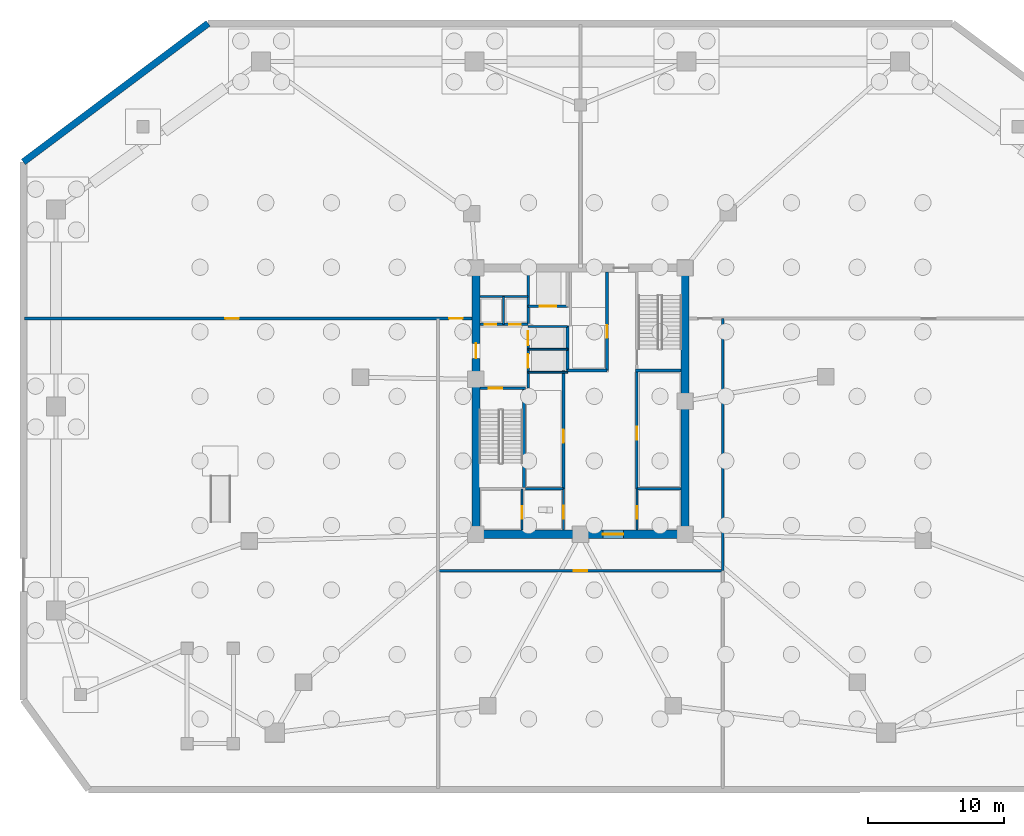
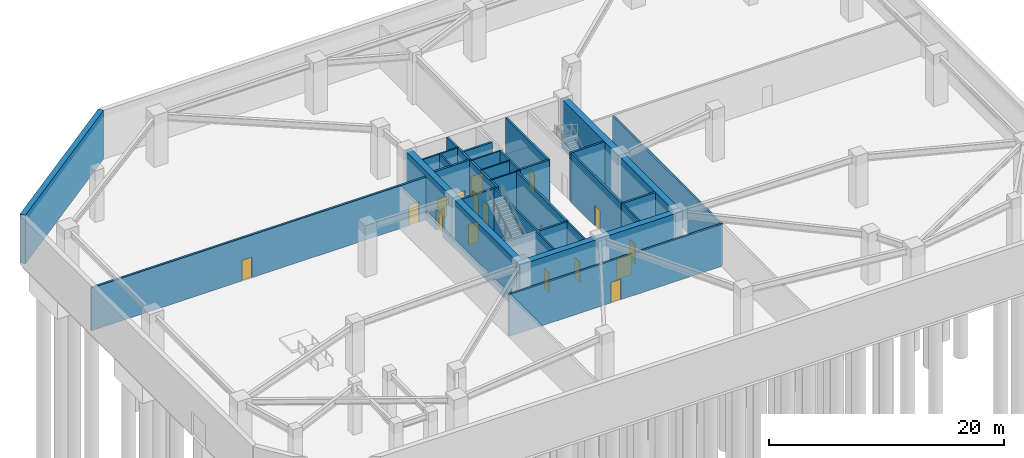
# One storey, part 4 of 12: 28 walls, 17 doors, 17 openings.
"""IFC4 building model written with IfcOpenShell, lengths in metres."""

from ifc_helpers import new_model, si_unit, direction, frame, frame_2d, origin, place, context, subcontext, project, spatial, rectangle, extrude, material, layer, layer_set, type_object, element, fill, save


model = new_model("IFC4")

# Units and contexts
model_context = context("Model", 3, precision=1e-05, world=origin(), true_north=direction((0.0, 1.0)))
body_context = subcontext(model_context, "Body", "Model", "MODEL_VIEW")
ifc_project = project(units=[si_unit("LENGTHUNIT", "METRE"), si_unit("AREAUNIT", "SQUARE_METRE"), si_unit("VOLUMEUNIT", "CUBIC_METRE"), si_unit("PLANEANGLEUNIT", "RADIAN"), si_unit("MASSUNIT", "GRAM", prefix="KILO")], contexts=[model_context])

# Site, building, storey
site_placement = place(None, origin())
site = spatial("IfcSite", under=ifc_project, at=site_placement, CompositionType="ELEMENT")
building_placement = place(site_placement, origin())
building = spatial("IfcBuilding", under=site, at=building_placement, Name="Savorim Split Tower", CompositionType="ELEMENT")
storey_placement = place(building_placement, frame((0.0, 0.0, -5.39990234375)))
storey = spatial("IfcBuildingStorey", under=building, at=storey_placement, Name="B01", CompositionType="ELEMENT", Elevation=-5.39990234375)

# Wall, opening, door
ifc_material_1 = material(Name="Concrete C60/75", Category="concrete")
ifc_layer_1 = layer(ifc_material_1, 0.60009765625)
ifc_layer_set_1 = layer_set([ifc_layer_1], Name="WAL-COR-SH600")
wall_type_1 = type_object("IfcWallType", Name="WAL-COR-SH600", PredefinedType="SHEAR", material=ifc_layer_set_1)
wall_1_placement = place(storey_placement, frame((-8.0, -9.39990234375, 0.0), z_axis=(0.0, 0.0, 1.0), x_axis=(1.0, 0.0, 0.0)))
wall_1 = element("IfcWall", 1, at=wall_1_placement, inside=storey, type_object=wall_type_1, Name="B01 Offset Core South Shear Wall", PredefinedType="SHEAR", context=body_context, shape_type="SweptSolid", body=[
    extrude(rectangle(XDim=16.0, YDim=0.60009765625, at=frame_2d((8.0, 0.0))), origin(), (0.0, 0.0, 1.0), 5.079833984375),
])
opening_1_placement = place(wall_1_placement, frame((9.64990234375, 0.0, 0.0)))
opening_1 = element("IfcOpeningElement", 2, at=opening_1_placement, cuts=wall_1, Name="Opening DI-02", PredefinedType="OPENING", context=body_context, shape_type="SweptSolid", body=[
    extrude(rectangle(XDim=1.5, YDim=2.199951171875, at=frame_2d((0.75, 1.10009765625))), frame((0.0, 0.31005859375, 0.0), z_axis=(0.0, -1.0, 0.0), x_axis=(1.0, 0.0, 0.0)), (0.0, 0.0, 1.0), 0.6201171875),
])
ifc_material_2 = material(Name="Timber Fire Door Leaf", Category="wood")
door_type_1 = type_object("IfcDoorType", Name="DOR-DBL-1500", OperationType="NOTDEFINED", PredefinedType="DOOR", material=ifc_material_2)
door_1_placement = place(opening_1_placement, origin())
door_1 = element("IfcDoor", 3, at=door_1_placement, inside=storey, type_object=door_type_1, Name="DOR-B01-COR-LLOB - B01 Lift Lobby Main Rated Door", OperationType="DOUBLE_DOOR_SINGLE_SWING", OverallHeight=2.199951171875, OverallWidth=1.5, PredefinedType="DOOR", context=body_context, shape_type="SweptSolid", body=[
    extrude(rectangle(XDim=1.5, YDim=2.199951171875, at=frame_2d((0.75, 1.10009765625))), frame((0.0, 0.02490234375, 0.0), z_axis=(0.0, -1.0, 0.0), x_axis=(1.0, 0.0, 0.0)), (0.0, 0.0, 1.0), 0.050048828125),
])
fill(opening_1, door_1)

wall_2_placement = place(storey_placement, frame((-7.699951171875, -9.10009765625, 0.0), z_axis=(0.0, 0.0, 1.0), x_axis=(0.0, 1.0, 0.0)))
wall_2 = element("IfcWall", 4, at=wall_2_placement, inside=storey, type_object=wall_type_1, Name="B01 Offset Core West Shear Wall", PredefinedType="SHEAR", context=body_context, shape_type="SweptSolid", body=[
    extrude(rectangle(XDim=19.0, YDim=0.60009765625, at=frame_2d((9.5, 0.0))), origin(), (0.0, 0.0, 1.0), 5.079833984375),
])
opening_2_placement = place(wall_2_placement, frame((12.64990234375, 0.0, 0.0)))
opening_2 = element("IfcOpeningElement", 5, at=opening_2_placement, cuts=wall_2, Name="Opening DI-03", PredefinedType="OPENING", context=body_context, shape_type="SweptSolid", body=[
    extrude(rectangle(XDim=1.10009765625, YDim=2.14990234375, at=frame_2d((0.550048828125, 1.074951171875))), frame((0.0, 0.31005859375, 0.0), z_axis=(0.0, -1.0, 0.0), x_axis=(1.0, 0.0, 0.0)), (0.0, 0.0, 1.0), 0.6201171875),
])
door_type_2 = type_object("IfcDoorType", Name="DOR-FIR-1100", OperationType="NOTDEFINED", PredefinedType="DOOR", material=ifc_material_2)
door_2_placement = place(opening_2_placement, origin())
door_2 = element("IfcDoor", 6, at=door_2_placement, inside=storey, type_object=door_type_2, Name="DOR-B01-COR-FFLOB - B01 Firefighting Lobby Corridor Door", OperationType="SINGLE_SWING_LEFT", OverallHeight=2.14990234375, OverallWidth=1.10009765625, PredefinedType="DOOR", context=body_context, shape_type="SweptSolid", body=[
    extrude(rectangle(XDim=1.10009765625, YDim=2.14990234375, at=frame_2d((0.550048828125, 1.074951171875))), frame((0.0, 0.02490234375, 0.0), z_axis=(0.0, -1.0, 0.0), x_axis=(1.0, 0.0, 0.0)), (0.0, 0.0, 1.0), 0.050048828125),
])
fill(opening_2, door_2)

# Walls
wall_3_placement = place(storey_placement, frame((7.699951171875, 9.89990234375, 0.0), z_axis=(0.0, 0.0, 1.0), x_axis=(0.0, -1.0, 0.0)))
element("IfcWall", 7, at=wall_3_placement, inside=storey, type_object=wall_type_1, Name="B01 Offset Core East Shear Wall", PredefinedType="SHEAR", context=body_context, shape_type="SweptSolid", body=[
    extrude(rectangle(XDim=19.0, YDim=0.60009765625, at=frame_2d((9.5, 0.0))), origin(), (0.0, 0.0, 1.0), 5.079833984375),
])
ifc_material_3 = material(Name="Concrete C50/60", Category="concrete")
ifc_layer_2 = layer(ifc_material_3, 0.5)
ifc_layer_set_2 = layer_set([ifc_layer_2], Name="WAL-EXT-RET500")
wall_type_2 = type_object("IfcWallType", Name="WAL-EXT-RET500", PredefinedType="USERDEFINED", material=ifc_layer_set_2)
wall_4_placement = place(storey_placement, frame((-41.0, 18.0, 0.0), z_axis=(0.0, 0.0, 1.0), x_axis=(0.800003446668, 0.599995404415, 0.0)))
element("IfcWall", 8, at=wall_4_placement, inside=storey, type_object=wall_type_2, Name="B01 Perimeter Basement Retaining Wall 6", ObjectType="RETAININGWALL", PredefinedType="USERDEFINED", context=body_context, shape_type="SweptSolid", body=[
    extrude(rectangle(XDim=17.0, YDim=0.5, at=frame_2d((8.5, 0.0))), origin(), (0.0, 0.0, 1.0), 5.079833984375),
])

# Wall, opening, door
ifc_layer_3 = layer(ifc_material_3, 0.199951171875)
ifc_layer_set_3 = layer_set([ifc_layer_3], Name="WAL-INT-RC200")
wall_type_3 = type_object("IfcWallType", Name="WAL-INT-RC200", PredefinedType="SOLIDWALL", material=ifc_layer_set_3)
wall_5_placement = place(storey_placement, frame((-7.39990234375, 1.35009765625, 0.0), z_axis=(0.0, 0.0, 1.0), x_axis=(1.0, 0.0, 0.0)))
wall_5 = element("IfcWall", 9, at=wall_5_placement, inside=storey, type_object=wall_type_3, Name="B01 Structural Shaft Wall W-B01-CR01", PredefinedType="SOLIDWALL", context=body_context, shape_type="SweptSolid", body=[
    extrude(rectangle(XDim=3.349853515625, YDim=0.199951171875, at=frame_2d((1.6748046875, 0.0))), origin(), (0.0, 0.0, 1.0), 5.079833984375),
])
opening_3_placement = place(wall_5_placement, frame((0.64990234375, 0.0, 0.0)))
opening_3 = element("IfcOpeningElement", 10, at=opening_3_placement, cuts=wall_5, Name="Opening DI-04", PredefinedType="OPENING", context=body_context, shape_type="SweptSolid", body=[
    extrude(rectangle(XDim=1.0, YDim=2.14990234375, at=frame_2d((0.5, 1.074951171875))), frame((0.0, 0.10986328125, 0.0), z_axis=(0.0, -1.0, 0.0), x_axis=(1.0, 0.0, 0.0)), (0.0, 0.0, 1.0), 0.219970703125),
])
door_type_3 = type_object("IfcDoorType", Name="DOR-FIR-1000", OperationType="NOTDEFINED", PredefinedType="DOOR", material=ifc_material_2)
door_3_placement = place(opening_3_placement, origin())
door_3 = element("IfcDoor", 11, at=door_3_placement, inside=storey, type_object=door_type_3, Name="DR-B01-ST1 - B01 Stair ST-1 Enclosure Door", OperationType="SINGLE_SWING_LEFT", OverallHeight=2.14990234375, OverallWidth=1.0, PredefinedType="DOOR", context=body_context, shape_type="SweptSolid", body=[
    extrude(rectangle(XDim=1.0, YDim=2.14990234375, at=frame_2d((0.5, 1.074951171875))), frame((0.0, 0.02490234375, 0.0), z_axis=(0.0, -1.0, 0.0), x_axis=(1.0, 0.0, 0.0)), (0.0, 0.0, 1.0), 0.050048828125),
])
fill(opening_3, door_3)

# Wall
wall_6_placement = place(storey_placement, frame((-4.14990234375, -5.949951171875, 0.0), z_axis=(0.0, 0.0, 1.0), x_axis=(0.0, 1.0, 0.0)))
element("IfcWall", 12, at=wall_6_placement, inside=storey, type_object=wall_type_3, Name="B01 Structural Shaft Wall W-B01-CR02", PredefinedType="SOLIDWALL", context=body_context, shape_type="SweptSolid", body=[
    extrude(rectangle(XDim=7.199951171875, YDim=0.199951171875, at=frame_2d((3.60009765625, 0.0))), origin(), (0.0, 0.0, 1.0), 5.079833984375),
])

# Wall, openings, doors
wall_7_placement = place(storey_placement, frame((-3.85009765625, 1.35009765625, 0.0), z_axis=(0.0, 0.0, 1.0), x_axis=(0.0, 1.0, 0.0)))
wall_7 = element("IfcWall", 13, at=wall_7_placement, inside=storey, type_object=wall_type_3, Name="B01 Partition W-B01-CR03", PredefinedType="SOLIDWALL", context=body_context, shape_type="SweptSolid", body=[
    extrude(rectangle(XDim=8.544921875, YDim=0.199951171875, at=frame_2d((4.2724609375, 0.0))), origin(), (0.0, 0.0, 1.0), 5.079833984375),
])
opening_4_placement = place(wall_7_placement, frame((1.5, 0.0, 0.0)))
opening_4 = element("IfcOpeningElement", 14, at=opening_4_placement, cuts=wall_7, Name="Opening LD-FFL", PredefinedType="OPENING", context=body_context, shape_type="SweptSolid", body=[
    extrude(rectangle(XDim=1.0, YDim=2.14990234375, at=frame_2d((0.5, 1.074951171875))), frame((0.0, 0.10986328125, 0.0), z_axis=(0.0, -1.0, 0.0), x_axis=(1.0, 0.0, 0.0)), (0.0, 0.0, 1.0), 0.219970703125),
])
opening_5_placement = place(wall_7_placement, frame((3.179931640625, 0.0, 0.0)))
opening_5 = element("IfcOpeningElement", 15, at=opening_5_placement, cuts=wall_7, Name="Opening LD-FFL", PredefinedType="OPENING", context=body_context, shape_type="SweptSolid", body=[
    extrude(rectangle(XDim=1.0, YDim=2.14990234375, at=frame_2d((0.5, 1.074951171875))), frame((0.0, 0.10986328125, 0.0), z_axis=(0.0, -1.0, 0.0), x_axis=(1.0, 0.0, 0.0)), (0.0, 0.0, 1.0), 0.219970703125),
])
ifc_material_4 = material(Name="Charcoal Anodised Aluminium", Category="aluminium")
door_type_4 = type_object("IfcDoorType", Name="DOR-SLD-LD1000", OperationType="NOTDEFINED", PredefinedType="DOOR", material=ifc_material_4)
door_4_placement = place(opening_4_placement, origin())
door_4 = element("IfcDoor", 16, at=door_4_placement, inside=storey, type_object=door_type_4, Name="DR-B01-LD-FFL1 - B01 Firefighting Lift FFL-1 Sliding Landing Door", OperationType="DOUBLE_DOOR_SLIDING", OverallHeight=2.14990234375, OverallWidth=1.0, PredefinedType="DOOR", context=body_context, shape_type="SweptSolid", body=[
    extrude(rectangle(XDim=1.0, YDim=2.14990234375, at=frame_2d((0.5, 1.074951171875))), frame((0.0, 0.02490234375, 0.0), z_axis=(0.0, -1.0, 0.0), x_axis=(1.0, 0.0, 0.0)), (0.0, 0.0, 1.0), 0.050048828125),
])
fill(opening_4, door_4)
door_5_placement = place(opening_5_placement, origin())
door_5 = element("IfcDoor", 17, at=door_5_placement, inside=storey, type_object=door_type_4, Name="DR-B01-LD-FFL2 - B01 Firefighting Lift FFL-2 Sliding Landing Door", OperationType="DOUBLE_DOOR_SLIDING", OverallHeight=2.14990234375, OverallWidth=1.0, PredefinedType="DOOR", context=body_context, shape_type="SweptSolid", body=[
    extrude(rectangle(XDim=1.0, YDim=2.14990234375, at=frame_2d((0.5, 1.074951171875))), frame((0.0, 0.02490234375, 0.0), z_axis=(0.0, -1.0, 0.0), x_axis=(1.0, 0.0, 0.0)), (0.0, 0.0, 1.0), 0.050048828125),
])
fill(opening_5, door_5)

wall_8_placement = place(storey_placement, frame((-7.39501953125, 6.050048828125, 0.0), z_axis=(0.0, 0.0, 1.0), x_axis=(1.0, 0.0, 0.0)))
wall_8 = element("IfcWall", 18, at=wall_8_placement, inside=storey, type_object=wall_type_3, Name="B01 Partition W-B01-CR04", PredefinedType="SOLIDWALL", context=body_context, shape_type="SweptSolid", body=[
    extrude(rectangle(XDim=3.544921875, YDim=0.199951171875, at=frame_2d((1.7724609375, 0.0))), origin(), (0.0, 0.0, 1.0), 5.079833984375),
])
opening_6_placement = place(wall_8_placement, frame((0.344970703125, 0.0, 0.0)))
opening_6 = element("IfcOpeningElement", 19, at=opening_6_placement, cuts=wall_8, Name="Opening DI-12", PredefinedType="OPENING", context=body_context, shape_type="SweptSolid", body=[
    extrude(rectangle(XDim=0.85009765625, YDim=2.10009765625, at=frame_2d((0.425048828125, 1.050048828125))), frame((0.0, 0.10986328125, 0.0), z_axis=(0.0, -1.0, 0.0), x_axis=(1.0, 0.0, 0.0)), (0.0, 0.0, 1.0), 0.219970703125),
])
opening_7_placement = place(wall_8_placement, frame((2.14501953125, 0.0, 0.0)))
opening_7 = element("IfcOpeningElement", 20, at=opening_7_placement, cuts=wall_8, Name="Opening DI-12", PredefinedType="OPENING", context=body_context, shape_type="SweptSolid", body=[
    extrude(rectangle(XDim=0.85009765625, YDim=2.10009765625, at=frame_2d((0.425048828125, 1.050048828125))), frame((0.0, 0.10986328125, 0.0), z_axis=(0.0, -1.0, 0.0), x_axis=(1.0, 0.0, 0.0)), (0.0, 0.0, 1.0), 0.219970703125),
])
ifc_material_5 = material(Name="Galvanised Painted Steel Balustrade", Category="steel")
door_type_5 = type_object("IfcDoorType", Name="DOR-RIS-850", OperationType="NOTDEFINED", PredefinedType="DOOR", material=ifc_material_5)
door_6_placement = place(opening_6_placement, origin())
door_6 = element("IfcDoor", 21, at=door_6_placement, inside=storey, type_object=door_type_5, Name="DR-B01-ELR - B01 Electrical Riser Access Door", OperationType="SINGLE_SWING_RIGHT", OverallHeight=2.10009765625, OverallWidth=0.85009765625, PredefinedType="DOOR", context=body_context, shape_type="SweptSolid", body=[
    extrude(rectangle(XDim=0.85009765625, YDim=2.10009765625, at=frame_2d((0.425048828125, 1.050048828125))), frame((0.0, 0.02490234375, 0.0), z_axis=(0.0, -1.0, 0.0), x_axis=(1.0, 0.0, 0.0)), (0.0, 0.0, 1.0), 0.050048828125),
])
fill(opening_6, door_6)
door_7_placement = place(opening_7_placement, origin())
door_7 = element("IfcDoor", 22, at=door_7_placement, inside=storey, type_object=door_type_5, Name="DR-B01-TLR - B01 Telecom Riser Access Door", OperationType="SINGLE_SWING_LEFT", OverallHeight=2.10009765625, OverallWidth=0.85009765625, PredefinedType="DOOR", context=body_context, shape_type="SweptSolid", body=[
    extrude(rectangle(XDim=0.85009765625, YDim=2.10009765625, at=frame_2d((0.425048828125, 1.050048828125))), frame((0.0, 0.02490234375, 0.0), z_axis=(0.0, -1.0, 0.0), x_axis=(1.0, 0.0, 0.0)), (0.0, 0.0, 1.0), 0.050048828125),
])
fill(opening_7, door_7)

# Walls
wall_9_placement = place(storey_placement, frame((4.050048828125, 2.64990234375, 0.0), z_axis=(0.0, 0.0, 1.0), x_axis=(1.0, 0.0, 0.0)))
element("IfcWall", 23, at=wall_9_placement, inside=storey, type_object=wall_type_3, Name="B01 Structural Shaft Wall W-B01-CR08", PredefinedType="SOLIDWALL", context=body_context, shape_type="SweptSolid", body=[
    extrude(rectangle(XDim=3.349853515625, YDim=0.199951171875, at=frame_2d((1.6748046875, 0.0))), origin(), (0.0, 0.0, 1.0), 5.079833984375),
])
wall_10_placement = place(storey_placement, frame((-0.949951171875, 2.64990234375, 0.0), z_axis=(0.0, 0.0, 1.0), x_axis=(0.0, 1.0, 0.0)))
element("IfcWall", 24, at=wall_10_placement, inside=storey, type_object=wall_type_3, Name="B01 Partition W-B01-FFLW", PredefinedType="SOLIDWALL", context=body_context, shape_type="SweptSolid", body=[
    extrude(rectangle(XDim=3.27001953125, YDim=0.199951171875, at=frame_2d((1.635009765625, 0.0))), origin(), (0.0, 0.0, 1.0), 5.079833984375),
])

# Wall, opening, door
wall_11_placement = place(storey_placement, frame((-3.85009765625, 7.3798828125, 0.0), z_axis=(0.0, 0.0, 1.0), x_axis=(1.0, 0.0, 0.0)))
wall_11 = element("IfcWall", 25, at=wall_11_placement, inside=storey, type_object=wall_type_3, Name="B01 Partition W-B01-SVLS", PredefinedType="SOLIDWALL", context=body_context, shape_type="SweptSolid", body=[
    extrude(rectangle(XDim=2.900146484375, YDim=0.199951171875, at=frame_2d((1.4501953125, 0.0))), origin(), (0.0, 0.0, 1.0), 5.079833984375),
])
opening_8_placement = place(wall_11_placement, frame((0.85009765625, 0.0, 0.0)))
opening_8 = element("IfcOpeningElement", 26, at=opening_8_placement, cuts=wall_11, Name="Opening LD-SV", PredefinedType="OPENING", context=body_context, shape_type="SweptSolid", body=[
    extrude(rectangle(XDim=1.199951171875, YDim=2.199951171875, at=frame_2d((0.60009765625, 1.10009765625))), frame((0.0, 0.10986328125, 0.0), z_axis=(0.0, -1.0, 0.0), x_axis=(1.0, 0.0, 0.0)), (0.0, 0.0, 1.0), 0.219970703125),
])
door_type_6 = type_object("IfcDoorType", Name="DOR-SLD-SV1200", OperationType="NOTDEFINED", PredefinedType="DOOR", material=ifc_material_4)
door_8_placement = place(opening_8_placement, origin())
door_8 = element("IfcDoor", 27, at=door_8_placement, inside=storey, type_object=door_type_6, Name="DR-B01-LD-SVL1 - B01 Service Lift SVL-1 Sliding Landing Door", OperationType="DOUBLE_DOOR_SLIDING", OverallHeight=2.199951171875, OverallWidth=1.199951171875, PredefinedType="DOOR", context=body_context, shape_type="SweptSolid", body=[
    extrude(rectangle(XDim=1.199951171875, YDim=2.199951171875, at=frame_2d((0.60009765625, 1.10009765625))), frame((0.0, 0.02490234375, 0.0), z_axis=(0.0, -1.0, 0.0), x_axis=(1.0, 0.0, 0.0)), (0.0, 0.0, 1.0), 0.050048828125),
])
fill(opening_8, door_8)

wall_12_placement = place(storey_placement, frame((4.14990234375, -6.050048828125, 0.0), z_axis=(0.0, 0.0, 1.0), x_axis=(0.0, 1.0, 0.0)))
wall_12 = element("IfcWall", 28, at=wall_12_placement, inside=storey, type_object=wall_type_3, Name="B01 Partition W-B01-B1FRONT", PredefinedType="SOLIDWALL", context=body_context, shape_type="SweptSolid", body=[
    extrude(rectangle(XDim=8.699951171875, YDim=0.199951171875, at=frame_2d((4.35009765625, 0.0))), origin(), (0.0, 0.0, 1.0), 5.079833984375),
])
opening_9_placement = place(wall_12_placement, frame((3.60009765625, 0.0, 0.0)))
opening_9 = element("IfcOpeningElement", 29, at=opening_9_placement, cuts=wall_12, Name="Opening DI-05", PredefinedType="OPENING", context=body_context, shape_type="SweptSolid", body=[
    extrude(rectangle(XDim=0.949951171875, YDim=2.10009765625, at=frame_2d((0.47509765625, 1.050048828125))), frame((0.0, 0.10986328125, 0.0), z_axis=(0.0, -1.0, 0.0), x_axis=(1.0, 0.0, 0.0)), (0.0, 0.0, 1.0), 0.219970703125),
])
door_type_7 = type_object("IfcDoorType", Name="DOR-FIR-950", OperationType="NOTDEFINED", PredefinedType="DOOR", material=ifc_material_2)
door_9_placement = place(opening_9_placement, origin())
door_9 = element("IfcDoor", 30, at=door_9_placement, inside=storey, type_object=door_type_7, Name="DR-B01-B1SUB - B01 Core Store East Door", OperationType="SINGLE_SWING_RIGHT", OverallHeight=2.10009765625, OverallWidth=0.949951171875, PredefinedType="DOOR", context=body_context, shape_type="SweptSolid", body=[
    extrude(rectangle(XDim=0.949951171875, YDim=2.10009765625, at=frame_2d((0.47509765625, 1.050048828125))), frame((0.0, 0.02490234375, 0.0), z_axis=(0.0, -1.0, 0.0), x_axis=(1.0, 0.0, 0.0)), (0.0, 0.0, 1.0), 0.050048828125),
])
fill(opening_9, door_9)

wall_13_placement = place(storey_placement, frame((-1.25, -6.050048828125, 0.0), z_axis=(0.0, 0.0, 1.0), x_axis=(0.0, 1.0, 0.0)))
wall_13 = element("IfcWall", 31, at=wall_13_placement, inside=storey, type_object=wall_type_3, Name="B01 Partition W-B01-B2FRONT", PredefinedType="SOLIDWALL", context=body_context, shape_type="SweptSolid", body=[
    extrude(rectangle(XDim=8.699951171875, YDim=0.199951171875, at=frame_2d((4.35009765625, 0.0))), origin(), (0.0, 0.0, 1.0), 5.079833984375),
])
opening_10_placement = place(wall_13_placement, frame((3.39990234375, 0.0, 0.0)))
opening_10 = element("IfcOpeningElement", 32, at=opening_10_placement, cuts=wall_13, Name="Opening DI-05", PredefinedType="OPENING", context=body_context, shape_type="SweptSolid", body=[
    extrude(rectangle(XDim=0.949951171875, YDim=2.10009765625, at=frame_2d((0.47509765625, 1.050048828125))), frame((0.0, 0.10986328125, 0.0), z_axis=(0.0, -1.0, 0.0), x_axis=(1.0, 0.0, 0.0)), (0.0, 0.0, 1.0), 0.219970703125),
])
door_10_placement = place(opening_10_placement, origin())
door_10 = element("IfcDoor", 33, at=door_10_placement, inside=storey, type_object=door_type_7, Name="DR-B01-B2SUB - B01 Core Store West Door", OperationType="SINGLE_SWING_LEFT", OverallHeight=2.10009765625, OverallWidth=0.949951171875, PredefinedType="DOOR", context=body_context, shape_type="SweptSolid", body=[
    extrude(rectangle(XDim=0.949951171875, YDim=2.10009765625, at=frame_2d((0.47509765625, 1.050048828125))), frame((0.0, 0.02490234375, 0.0), z_axis=(0.0, -1.0, 0.0), x_axis=(1.0, 0.0, 0.0)), (0.0, 0.0, 1.0), 0.050048828125),
])
fill(opening_10, door_10)

wall_14_placement = place(storey_placement, frame((1.949951171875, 2.64990234375, 0.0), z_axis=(0.0, 0.0, 1.0), x_axis=(0.0, 1.0, 0.0)))
wall_14 = element("IfcWall", 34, at=wall_14_placement, inside=storey, type_object=wall_type_3, Name="B01 Partition W-B01-B3FRONT", PredefinedType="SOLIDWALL", context=body_context, shape_type="SweptSolid", body=[
    extrude(rectangle(XDim=7.2451171875, YDim=0.199951171875, at=frame_2d((3.62255859375, 0.0))), origin(), (0.0, 0.0, 1.0), 5.079833984375),
])
opening_11_placement = place(wall_14_placement, frame((2.39990234375, 0.0, 0.0)))
opening_11 = element("IfcOpeningElement", 35, at=opening_11_placement, cuts=wall_14, Name="Opening DI-05", PredefinedType="OPENING", context=body_context, shape_type="SweptSolid", body=[
    extrude(rectangle(XDim=0.949951171875, YDim=2.10009765625, at=frame_2d((0.47509765625, 1.050048828125))), frame((0.0, 0.10986328125, 0.0), z_axis=(0.0, -1.0, 0.0), x_axis=(1.0, 0.0, 0.0)), (0.0, 0.0, 1.0), 0.219970703125),
])
door_11_placement = place(opening_11_placement, origin())
door_11 = element("IfcDoor", 36, at=door_11_placement, inside=storey, type_object=door_type_7, Name="DR-B01-B3CRN - B01 Basement BMS Plant Room Door", OperationType="SINGLE_SWING_LEFT", OverallHeight=2.10009765625, OverallWidth=0.949951171875, PredefinedType="DOOR", context=body_context, shape_type="SweptSolid", body=[
    extrude(rectangle(XDim=0.949951171875, YDim=2.10009765625, at=frame_2d((0.47509765625, 1.050048828125))), frame((0.0, 0.02490234375, 0.0), z_axis=(0.0, -1.0, 0.0), x_axis=(1.0, 0.0, 0.0)), (0.0, 0.0, 1.0), 0.050048828125),
])
fill(opening_11, door_11)

# Walls
wall_15_placement = place(storey_placement, frame((-0.949951171875, 2.64990234375, 0.0), z_axis=(0.0, 0.0, 1.0), x_axis=(1.0, 0.0, 0.0)))
element("IfcWall", 37, at=wall_15_placement, inside=storey, type_object=wall_type_3, Name="B01 Partition W-B01-B3SOUTH", PredefinedType="SOLIDWALL", context=body_context, shape_type="SweptSolid", body=[
    extrude(rectangle(XDim=2.89990234375, YDim=0.199951171875, at=frame_2d((1.449951171875, 0.0))), origin(), (0.0, 0.0, 1.0), 5.079833984375),
])
wall_16_placement = place(storey_placement, frame((-4.0400390625, -6.050048828125, 0.0), z_axis=(0.0, 0.0, 1.0), x_axis=(1.0, 0.0, 0.0)))
element("IfcWall", 38, at=wall_16_placement, inside=storey, type_object=wall_type_3, Name="B01 Partition W-B01-KSEP-W2", PredefinedType="SOLIDWALL", context=body_context, shape_type="SweptSolid", body=[
    extrude(rectangle(XDim=2.7900390625, YDim=0.199951171875, at=frame_2d((1.39501953125, 0.0))), origin(), (0.0, 0.0, 1.0), 5.079833984375),
])
wall_17_placement = place(storey_placement, frame((4.14990234375, -6.050048828125, 0.0), z_axis=(0.0, 0.0, 1.0), x_axis=(1.0, 0.0, 0.0)))
element("IfcWall", 39, at=wall_17_placement, inside=storey, type_object=wall_type_3, Name="B01 Partition W-B01-KSEP-E", PredefinedType="SOLIDWALL", context=body_context, shape_type="SweptSolid", body=[
    extrude(rectangle(XDim=3.2451171875, YDim=0.199951171875, at=frame_2d((1.62255859375, 0.0))), origin(), (0.0, 0.0, 1.0), 5.079833984375),
])

# Wall, opening, door
wall_18_placement = place(storey_placement, frame((-10.47998046875, -12.080078125, 0.0), z_axis=(0.0, 0.0, 1.0), x_axis=(1.0, 0.0, 0.0)))
wall_18 = element("IfcWall", 40, at=wall_18_placement, inside=storey, type_object=wall_type_3, Name="B01 Partition W-B01-CS", PredefinedType="SOLIDWALL", context=body_context, shape_type="SweptSolid", body=[
    extrude(rectangle(XDim=20.9599609375, YDim=0.199951171875, at=frame_2d((10.47998046875, 0.0))), origin(), (0.0, 0.0, 1.0), 4.35498046875),
])
opening_12_placement = place(wall_18_placement, frame((9.97998046875, 0.0, 0.0)))
opening_12 = element("IfcOpeningElement", 41, at=opening_12_placement, cuts=wall_18, Name="Opening DI-04", PredefinedType="OPENING", context=body_context, shape_type="SweptSolid", body=[
    extrude(rectangle(XDim=1.0, YDim=2.14990234375, at=frame_2d((0.5, 1.074951171875))), frame((0.0, 0.10986328125, 0.0), z_axis=(0.0, -1.0, 0.0), x_axis=(1.0, 0.0, 0.0)), (0.0, 0.0, 1.0), 0.219970703125),
])
door_12_placement = place(opening_12_placement, origin())
door_12 = element("IfcDoor", 42, at=door_12_placement, inside=storey, type_object=door_type_3, Name="DR-B01-RM02 - B01 Domestic and Fire Water Tank Room Entry Door", OperationType="SINGLE_SWING_LEFT", OverallHeight=2.14990234375, OverallWidth=1.0, PredefinedType="DOOR", context=body_context, shape_type="SweptSolid", body=[
    extrude(rectangle(XDim=1.0, YDim=2.14990234375, at=frame_2d((0.5, 1.074951171875))), frame((0.0, 0.02490234375, 0.0), z_axis=(0.0, -1.0, 0.0), x_axis=(1.0, 0.0, 0.0)), (0.0, 0.0, 1.0), 0.050048828125),
])
fill(opening_12, door_12)

# Wall
wall_19_placement = place(storey_placement, frame((10.47998046875, -12.080078125, 0.0), z_axis=(0.0, 0.0, 1.0), x_axis=(0.0, 1.0, 0.0)))
element("IfcWall", 43, at=wall_19_placement, inside=storey, type_object=wall_type_3, Name="B01 Partition W-B01-CE", PredefinedType="SOLIDWALL", context=body_context, shape_type="SweptSolid", body=[
    extrude(rectangle(XDim=18.56005859375, YDim=0.199951171875, at=frame_2d((9.280029296875, 0.0))), origin(), (0.0, 0.0, 1.0), 4.35498046875),
])

# Wall, openings, doors
wall_20_placement = place(storey_placement, frame((-40.919921875, 6.47998046875, 0.0), z_axis=(0.0, 0.0, 1.0), x_axis=(1.0, 0.0, 0.0)))
wall_20 = element("IfcWall", 44, at=wall_20_placement, inside=storey, type_object=wall_type_3, Name="B01 Partition W-B01-CNW", PredefinedType="SOLIDWALL", context=body_context, shape_type="SweptSolid", body=[
    extrude(rectangle(XDim=32.919921875, YDim=0.199951171875, at=frame_2d((16.4599609375, 0.0))), origin(), (0.0, 0.0, 1.0), 4.46484375),
])
opening_13_placement = place(wall_20_placement, frame((14.786376953125, 0.0, 0.0)))
opening_13 = element("IfcOpeningElement", 45, at=opening_13_placement, cuts=wall_20, Name="Opening DI-04", PredefinedType="OPENING", context=body_context, shape_type="SweptSolid", body=[
    extrude(rectangle(XDim=1.0, YDim=2.14990234375, at=frame_2d((0.5, 1.074951171875))), frame((0.0, 0.10986328125, 0.0), z_axis=(0.0, -1.0, 0.0), x_axis=(1.0, 0.0, 0.0)), (0.0, 0.0, 1.0), 0.219970703125),
])
opening_14_placement = place(wall_20_placement, frame((31.2451171875, 0.0, 0.0)))
opening_14 = element("IfcOpeningElement", 46, at=opening_14_placement, cuts=wall_20, Name="Opening DI-04", PredefinedType="OPENING", context=body_context, shape_type="SweptSolid", body=[
    extrude(rectangle(XDim=1.0, YDim=2.14990234375, at=frame_2d((0.5, 1.074951171875))), frame((0.0, 0.10986328125, 0.0), z_axis=(0.0, -1.0, 0.0), x_axis=(1.0, 0.0, 0.0)), (0.0, 0.0, 1.0), 0.219970703125),
])
door_13_placement = place(opening_13_placement, origin())
door_13 = element("IfcDoor", 47, at=door_13_placement, inside=storey, type_object=door_type_3, Name="DR-B01-RM01 - B01 Bicycle Hub Entry Door", OperationType="SINGLE_SWING_RIGHT", OverallHeight=2.14990234375, OverallWidth=1.0, PredefinedType="DOOR", context=body_context, shape_type="SweptSolid", body=[
    extrude(rectangle(XDim=1.0, YDim=2.14990234375, at=frame_2d((0.5, 1.074951171875))), frame((0.0, 0.02490234375, 0.0), z_axis=(0.0, -1.0, 0.0), x_axis=(1.0, 0.0, 0.0)), (0.0, 0.0, 1.0), 0.050048828125),
])
fill(opening_13, door_13)
door_14_placement = place(opening_14_placement, origin())
door_14 = element("IfcDoor", 48, at=door_14_placement, inside=storey, type_object=door_type_3, Name="DR-B01-RM04 - B01 Booster Pump Plant Room Entry Door", OperationType="SINGLE_SWING_LEFT", OverallHeight=2.14990234375, OverallWidth=1.0, PredefinedType="DOOR", context=body_context, shape_type="SweptSolid", body=[
    extrude(rectangle(XDim=1.0, YDim=2.14990234375, at=frame_2d((0.5, 1.074951171875))), frame((0.0, 0.02490234375, 0.0), z_axis=(0.0, -1.0, 0.0), x_axis=(1.0, 0.0, 0.0)), (0.0, 0.0, 1.0), 0.050048828125),
])
fill(opening_14, door_14)

# Walls
ifc_material_6 = material(Name="Acoustic Gypsum Partition Board")
ifc_layer_4 = layer(ifc_material_6, 0.1201171875)
ifc_layer_set_4 = layer_set([ifc_layer_4], Name="WAL-PAR-120")
wall_type_4 = type_object("IfcWallType", Name="WAL-PAR-120", PredefinedType="PARTITIONING", material=ifc_layer_set_4)
for number, where, z_axis, x_axis, name in (
    (49, (-3.85009765625, 2.52001953125, 0.0), (0.0, 0.0, 1.0), (1.0, 0.0, 0.0), "B01 Partition W-B01-FFLD0"),
    (50, (-3.85009765625, 4.219970703125, 0.0), (0.0, 0.0, 1.0), (1.0, 0.0, 0.0), "B01 Partition W-B01-FFLD1"),
):
    element("IfcWall", number, at=place(storey_placement, frame(where, z_axis=z_axis, x_axis=x_axis)), inside=storey, type_object=wall_type_4, Name=name, PredefinedType="PARTITIONING", context=body_context, shape_type="SweptSolid", body=[
        extrude(rectangle(XDim=2.900146484375, YDim=0.1201171875, at=frame_2d((1.4501953125, 0.0))), origin(), (0.0, 0.0, 1.0), 5.079833984375),
    ])
ifc_layer_5 = layer(ifc_material_6, 0.14990234375)
ifc_layer_set_5 = layer_set([ifc_layer_5], Name="WAL-PAR-150")
wall_type_5 = type_object("IfcWallType", Name="WAL-PAR-150", PredefinedType="PARTITIONING", material=ifc_layer_set_5)
wall_21_placement = place(storey_placement, frame((-7.39501953125, 8.10009765625, 0.0), z_axis=(0.0, 0.0, 1.0), x_axis=(1.0, 0.0, 0.0)))
element("IfcWall", 51, at=wall_21_placement, inside=storey, type_object=wall_type_5, Name="B01 Partition W-B01-CR05", PredefinedType="PARTITIONING", context=body_context, shape_type="SweptSolid", body=[
    extrude(rectangle(XDim=3.544921875, YDim=0.14990234375, at=frame_2d((1.7724609375, 0.0))), origin(), (0.0, 0.0, 1.0), 5.079833984375),
])
wall_22_placement = place(storey_placement, frame((-5.64990234375, 6.050048828125, 0.0), z_axis=(0.0, 0.0, 1.0), x_axis=(0.0, 1.0, 0.0)))
element("IfcWall", 52, at=wall_22_placement, inside=storey, type_object=wall_type_5, Name="B01 Partition W-B01-CR06", PredefinedType="PARTITIONING", context=body_context, shape_type="SweptSolid", body=[
    extrude(rectangle(XDim=2.050048828125, YDim=0.14990234375, at=frame_2d((1.02490234375, 0.0))), origin(), (0.0, 0.0, 1.0), 5.079833984375),
])
wall_23_placement = place(storey_placement, frame((-3.85009765625, 5.89990234375, 0.0), z_axis=(0.0, 0.0, 1.0), x_axis=(1.0, 0.0, 0.0)))
element("IfcWall", 53, at=wall_23_placement, inside=storey, type_object=wall_type_5, Name="B01 Partition W-B01-FFLD2", PredefinedType="PARTITIONING", context=body_context, shape_type="SweptSolid", body=[
    extrude(rectangle(XDim=2.900146484375, YDim=0.14990234375, at=frame_2d((1.4501953125, 0.0))), origin(), (0.0, 0.0, 1.0), 5.079833984375),
])

# Wall, opening, door
wall_24_placement = place(storey_placement, frame((-1.25, -9.094970703125, 0.0), z_axis=(0.0, 0.0, 1.0), x_axis=(0.0, 1.0, 0.0)))
wall_24 = element("IfcWall", 54, at=wall_24_placement, inside=storey, type_object=wall_type_5, Name="B01 Partition W-B01-KLOB-W", PredefinedType="PARTITIONING", context=body_context, shape_type="SweptSolid", body=[
    extrude(rectangle(XDim=3.044921875, YDim=0.14990234375, at=frame_2d((1.5224609375, 0.0))), origin(), (0.0, 0.0, 1.0), 5.079833984375),
])
opening_15_placement = place(wall_24_placement, frame((0.844970703125, 0.0, 0.0)))
opening_15 = element("IfcOpeningElement", 55, at=opening_15_placement, cuts=wall_24, Name="Opening DI-10", PredefinedType="OPENING", context=body_context, shape_type="SweptSolid", body=[
    extrude(rectangle(XDim=0.949951171875, YDim=2.10009765625, at=frame_2d((0.47509765625, 1.050048828125))), frame((0.0, 0.0849609375, 0.0), z_axis=(0.0, -1.0, 0.0), x_axis=(1.0, 0.0, 0.0)), (0.0, 0.0, 1.0), 0.169921875),
])
ifc_material_7 = material(Name="Oak Veneer Acoustic Door")
door_type_8 = type_object("IfcDoorType", Name="DOR-WC-950", OperationType="NOTDEFINED", PredefinedType="DOOR", material=ifc_material_7)
door_15_placement = place(opening_15_placement, origin())
door_15 = element("IfcDoor", 56, at=door_15_placement, inside=storey, type_object=door_type_8, Name="DR-B01-K1WC - B01 Core Accessible WC Door", OperationType="SINGLE_SWING_LEFT", OverallHeight=2.10009765625, OverallWidth=0.949951171875, PredefinedType="DOOR", context=body_context, shape_type="SweptSolid", body=[
    extrude(rectangle(XDim=0.949951171875, YDim=2.10009765625, at=frame_2d((0.47509765625, 1.050048828125))), frame((0.0, 0.02490234375, 0.0), z_axis=(0.0, -1.0, 0.0), x_axis=(1.0, 0.0, 0.0)), (0.0, 0.0, 1.0), 0.050048828125),
])
fill(opening_15, door_15)

wall_25_placement = place(storey_placement, frame((4.14990234375, -9.094970703125, 0.0), z_axis=(0.0, 0.0, 1.0), x_axis=(0.0, 1.0, 0.0)))
wall_25 = element("IfcWall", 57, at=wall_25_placement, inside=storey, type_object=wall_type_5, Name="B01 Partition W-B01-KLOB-E", PredefinedType="PARTITIONING", context=body_context, shape_type="SweptSolid", body=[
    extrude(rectangle(XDim=3.044921875, YDim=0.14990234375, at=frame_2d((1.5224609375, 0.0))), origin(), (0.0, 0.0, 1.0), 5.079833984375),
])
opening_16_placement = place(wall_25_placement, frame((0.844970703125, 0.0, 0.0)))
opening_16 = element("IfcOpeningElement", 58, at=opening_16_placement, cuts=wall_25, Name="Opening DI-06", PredefinedType="OPENING", context=body_context, shape_type="SweptSolid", body=[
    extrude(rectangle(XDim=0.89990234375, YDim=2.10009765625, at=frame_2d((0.449951171875, 1.050048828125))), frame((0.0, 0.0849609375, 0.0), z_axis=(0.0, -1.0, 0.0), x_axis=(1.0, 0.0, 0.0)), (0.0, 0.0, 1.0), 0.169921875),
])
door_type_9 = type_object("IfcDoorType", Name="DOR-FIR-900", OperationType="NOTDEFINED", PredefinedType="DOOR", material=ifc_material_2)
door_16_placement = place(opening_16_placement, origin())
door_16 = element("IfcDoor", 59, at=door_16_placement, inside=storey, type_object=door_type_9, Name="DR-B01-K1IT - B01 Core IT Room Door", OperationType="SINGLE_SWING_LEFT", OverallHeight=2.10009765625, OverallWidth=0.89990234375, PredefinedType="DOOR", context=body_context, shape_type="SweptSolid", body=[
    extrude(rectangle(XDim=0.89990234375, YDim=2.10009765625, at=frame_2d((0.449951171875, 1.050048828125))), frame((0.0, 0.02490234375, 0.0), z_axis=(0.0, -1.0, 0.0), x_axis=(1.0, 0.0, 0.0)), (0.0, 0.0, 1.0), 0.050048828125),
])
fill(opening_16, door_16)

wall_26_placement = place(storey_placement, frame((-4.300048828125, -9.094970703125, 0.0), z_axis=(0.0, 0.0, 1.0), x_axis=(0.0, 1.0, 0.0)))
wall_26 = element("IfcWall", 60, at=wall_26_placement, inside=storey, type_object=wall_type_5, Name="B01 Partition W-B01-K1W", PredefinedType="PARTITIONING", context=body_context, shape_type="SweptSolid", body=[
    extrude(rectangle(XDim=3.044921875, YDim=0.14990234375, at=frame_2d((1.5224609375, 0.0))), origin(), (0.0, 0.0, 1.0), 5.079833984375),
])
opening_17_placement = place(wall_26_placement, frame((0.844970703125, 0.0, 0.0)))
opening_17 = element("IfcOpeningElement", 61, at=opening_17_placement, cuts=wall_26, Name="Opening DI-06", PredefinedType="OPENING", context=body_context, shape_type="SweptSolid", body=[
    extrude(rectangle(XDim=0.89990234375, YDim=2.10009765625, at=frame_2d((0.449951171875, 1.050048828125))), frame((0.0, 0.0849609375, 0.0), z_axis=(0.0, -1.0, 0.0), x_axis=(1.0, 0.0, 0.0)), (0.0, 0.0, 1.0), 0.169921875),
])
door_17_placement = place(opening_17_placement, origin())
door_17 = element("IfcDoor", 62, at=door_17_placement, inside=storey, type_object=door_type_9, Name="DR-B01-K1HK - B01 Housekeeping Store Door", OperationType="SINGLE_SWING_RIGHT", OverallHeight=2.10009765625, OverallWidth=0.89990234375, PredefinedType="DOOR", context=body_context, shape_type="SweptSolid", body=[
    extrude(rectangle(XDim=0.89990234375, YDim=2.10009765625, at=frame_2d((0.449951171875, 1.050048828125))), frame((0.0, 0.02490234375, 0.0), z_axis=(0.0, -1.0, 0.0), x_axis=(1.0, 0.0, 0.0)), (0.0, 0.0, 1.0), 0.050048828125),
])
fill(opening_17, door_17)

save(model, "model.ifc")
